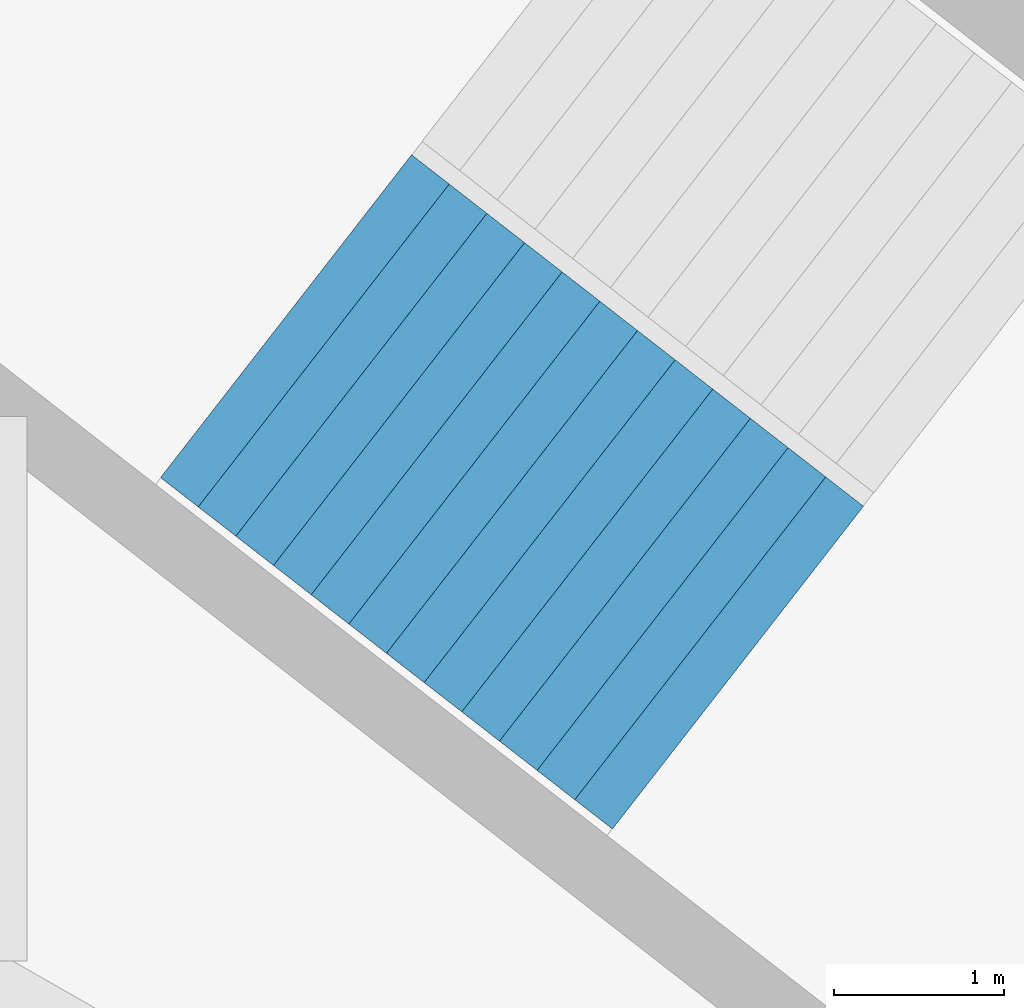
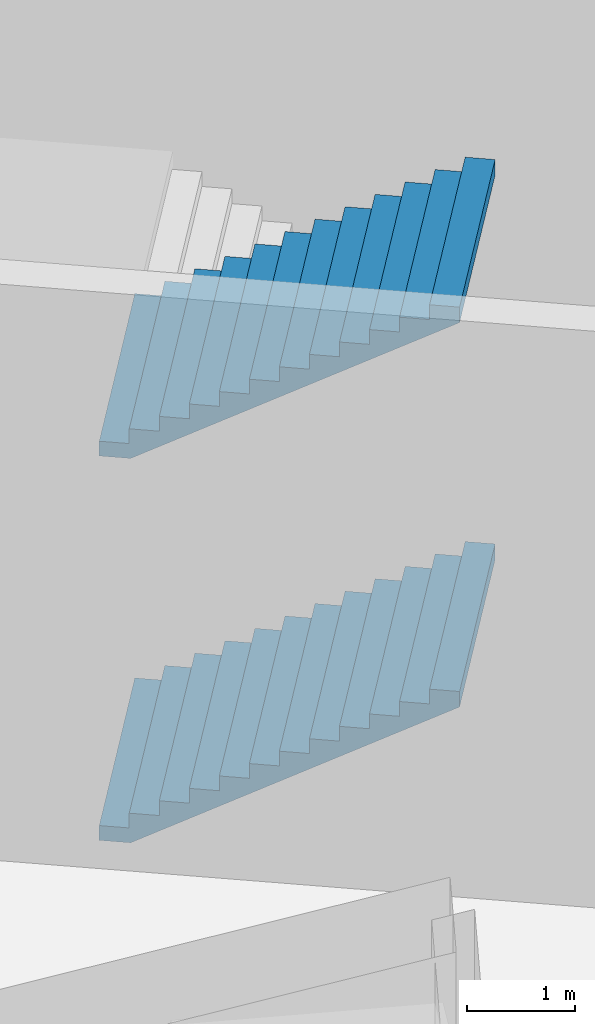
# One storey, part 32 of 47: 2 stair flights, 1 element without a shape of its own.
"""IFC4 building model written with IfcOpenShell, lengths in metres."""

from ifc_helpers import new_model, si_unit, direction, frame, origin, place, context, subcontext, project, spatial, triangles, material, type_object, element, aggregate, save


model = new_model("IFC4")

# Units and contexts
model_context = context("Model", 3, precision=1e-05, world=origin(), true_north=direction((0.0, 1.0)))
body_context = subcontext(model_context, "Body", "Model", "MODEL_VIEW")
ifc_project = project(units=[si_unit("LENGTHUNIT", "METRE"), si_unit("AREAUNIT", "SQUARE_METRE"), si_unit("VOLUMEUNIT", "CUBIC_METRE"), si_unit("PLANEANGLEUNIT", "RADIAN"), si_unit("MASSUNIT", "GRAM", prefix="KILO")], contexts=[model_context])

# Site, building, storey
site_placement = place(None, origin())
site = spatial("IfcSite", under=ifc_project, at=site_placement, CompositionType="ELEMENT")
building_placement = place(site_placement, origin())
building = spatial("IfcBuilding", under=site, at=building_placement, Name="Lantaw Convention Tower", CompositionType="ELEMENT")
storey_placement = place(building_placement, origin())
storey = spatial("IfcBuildingStorey", under=building, at=storey_placement, Name="L00", CompositionType="ELEMENT", Elevation=0.0)

# Stair, stair flights
ifc_material = material(Name="Concrete C35/45", Category="concrete")
stair_type = type_object("IfcStairType", Name="Exit stair 2400 riser 166.67 in 3 flights", PredefinedType="HALF_TURN_STAIR", material=ifc_material)
stair_placement = place(storey_placement, origin())
stair = element("IfcStair", 1, at=stair_placement, inside=storey, type_object=stair_type, Name="Podium exit stair P7 L00", PredefinedType="HALF_TURN_STAIR")
stair_flight_type = type_object("IfcStairFlightType", Name="Stair flight 2400 riser 166.67", PredefinedType="STRAIGHT", material=ifc_material)
stair_flight_1_placement = place(storey_placement, frame((-32.146728515625, 23.417236328125, 0.0), z_axis=(0.0, 0.0, 1.0), x_axis=(0.789378829664, -0.613906396186, 0.0)))
stair_flight_1 = element("IfcStairFlight", 2, at=stair_flight_1_placement, type_object=stair_flight_type, Name="P7 flight 1", NumberOfRisers=13, NumberOfTreads=12, PredefinedType="STRAIGHT", RiserHeight=0.166666667, TreadLength=0.28, context=body_context, shape_type="Tessellation", body=[
    triangles([(0.0, 1.199951171875, 0.0), (0.0, 1.199951171875, 0.166666667), (0.28, 1.199951171875, 0.0), (0.28, 1.199951171875, 0.166666667), (0.28, 1.199951171875, 0.333333334), (0.29307345806906815, 1.199951171875, 0.0), (0.29307345806906815, 1.199951171875, 0.333333334), (0.56, 1.199951171875, 0.15888484670522912), (0.56, 1.199951171875, 0.333333334), (0.56, 1.199951171875, 0.500000001), (0.8400000000000001, 1.199951171875, 0.3255515137052291), (0.8400000000000001, 1.199951171875, 0.500000001), (0.8400000000000001, 1.199951171875, 0.666666668), (1.12, 1.199951171875, 0.49221818070522905), (1.12, 1.199951171875, 0.666666668), (1.12, 1.199951171875, 0.833333335), (1.4000000000000001, 1.199951171875, 0.658884847705229), (1.4000000000000001, 1.199951171875, 0.833333335), (1.4000000000000001, 1.199951171875, 1.000000002), (1.6800000000000002, 1.199951171875, 0.825551514705229), (1.6800000000000002, 1.199951171875, 1.000000002), (1.6800000000000002, 1.199951171875, 1.166666669), (1.9600000000000002, 1.199951171875, 0.992218181705229), (1.9600000000000002, 1.199951171875, 1.166666669), (1.9600000000000002, 1.199951171875, 1.333333336), (2.24, 1.199951171875, 1.158884848705229), (2.24, 1.199951171875, 1.333333336), (2.24, 1.199951171875, 1.5000000029999998), (2.5200000000000005, 1.199951171875, 1.325551515705229), (2.5200000000000005, 1.199951171875, 1.5000000029999998), (2.5200000000000005, 1.199951171875, 1.66666667), (2.8000000000000003, 1.199951171875, 1.492218182705229), (2.8000000000000003, 1.199951171875, 1.66666667), (2.8000000000000003, 1.199951171875, 1.833333337), (3.08, 1.199951171875, 1.6588848497052289), (3.08, 1.199951171875, 1.833333337), (3.08, 1.199951171875, 2.000000004), (3.3600000000000003, 1.199951171875, 1.825551516705229), (3.3600000000000003, 1.199951171875, 2.000000004), (0.0, -1.199951171875, 0.0), (0.0, -1.199951171875, 0.166666667), (0.28, -1.199951171875, 0.0), (0.28, -1.199951171875, 0.166666667), (0.28, -1.199951171875, 0.333333334), (0.29307345806906815, -1.199951171875, 0.0), (0.29307345806906815, -1.199951171875, 0.333333334), (0.56, -1.199951171875, 0.15888484670522912), (0.56, -1.199951171875, 0.333333334), (0.56, -1.199951171875, 0.500000001), (0.8400000000000001, -1.199951171875, 0.3255515137052291), (0.8400000000000001, -1.199951171875, 0.500000001), (0.8400000000000001, -1.199951171875, 0.666666668), (1.12, -1.199951171875, 0.49221818070522905), (1.12, -1.199951171875, 0.666666668), (1.12, -1.199951171875, 0.833333335), (1.4000000000000001, -1.199951171875, 0.658884847705229), (1.4000000000000001, -1.199951171875, 0.833333335), (1.4000000000000001, -1.199951171875, 1.000000002), (1.6800000000000002, -1.199951171875, 0.825551514705229), (1.6800000000000002, -1.199951171875, 1.000000002), (1.6800000000000002, -1.199951171875, 1.166666669), (1.9600000000000002, -1.199951171875, 0.992218181705229), (1.9600000000000002, -1.199951171875, 1.166666669), (1.9600000000000002, -1.199951171875, 1.333333336), (2.24, -1.199951171875, 1.158884848705229), (2.24, -1.199951171875, 1.333333336), (2.24, -1.199951171875, 1.5000000029999998), (2.5200000000000005, -1.199951171875, 1.325551515705229), (2.5200000000000005, -1.199951171875, 1.5000000029999998), (2.5200000000000005, -1.199951171875, 1.66666667), (2.8000000000000003, -1.199951171875, 1.492218182705229), (2.8000000000000003, -1.199951171875, 1.66666667), (2.8000000000000003, -1.199951171875, 1.833333337), (3.08, -1.199951171875, 1.6588848497052289), (3.08, -1.199951171875, 1.833333337), (3.08, -1.199951171875, 2.000000004), (3.3600000000000003, -1.199951171875, 1.825551516705229), (3.3600000000000003, -1.199951171875, 2.000000004), (0.0, 0.239990234375, 0.166666667), (0.0, 0.239990234375, 0.0), (0.0, 0.0, 0.166666667), (0.0, 0.0, 0.0), (0.0, -0.239990234375, 0.166666667), (0.0, -0.239990234375, 0.0), (0.28, 0.239990234375, 0.333333334), (0.28, 0.239990234375, 0.166666667), (0.28, 0.0, 0.333333334), (0.28, 0.0, 0.166666667), (0.28, -0.239990234375, 0.333333334), (0.28, -0.239990234375, 0.166666667), (0.56, 0.239990234375, 0.500000001), (0.56, 0.239990234375, 0.333333334), (0.56, 0.0, 0.500000001), (0.56, 0.0, 0.333333334), (0.56, -0.239990234375, 0.500000001), (0.56, -0.239990234375, 0.333333334), (0.8400000000000001, 0.239990234375, 0.666666668), (0.8400000000000001, 0.239990234375, 0.500000001), (0.8400000000000001, 0.0, 0.666666668), (0.8400000000000001, 0.0, 0.500000001), (0.8400000000000001, -0.239990234375, 0.666666668), (0.8400000000000001, -0.239990234375, 0.500000001), (1.12, 0.239990234375, 0.833333335), (1.12, 0.239990234375, 0.666666668), (1.12, 0.0, 0.833333335), (1.12, 0.0, 0.666666668), (1.12, -0.239990234375, 0.833333335), (1.12, -0.239990234375, 0.666666668), (1.4000000000000001, 0.239990234375, 1.000000002), (1.4000000000000001, 0.239990234375, 0.833333335), (1.4000000000000001, 0.0, 1.000000002), (1.4000000000000001, 0.0, 0.833333335), (1.4000000000000001, -0.239990234375, 1.000000002), (1.4000000000000001, -0.239990234375, 0.833333335), (1.6800000000000002, 0.239990234375, 1.166666669), (1.6800000000000002, 0.239990234375, 1.000000002), (1.6800000000000002, 0.0, 1.166666669), (1.6800000000000002, 0.0, 1.000000002), (1.6800000000000002, -0.239990234375, 1.166666669), (1.6800000000000002, -0.239990234375, 1.000000002), (1.9600000000000002, 0.239990234375, 1.333333336), (1.9600000000000002, 0.239990234375, 1.166666669), (1.9600000000000002, 0.0, 1.333333336), (1.9600000000000002, 0.0, 1.166666669), (1.9600000000000002, -0.239990234375, 1.333333336), (1.9600000000000002, -0.239990234375, 1.166666669), (2.24, 0.239990234375, 1.5000000029999998), (2.24, 0.239990234375, 1.333333336), (2.24, 0.0, 1.5000000029999998), (2.24, 0.0, 1.333333336), (2.24, -0.239990234375, 1.5000000029999998), (2.24, -0.239990234375, 1.333333336), (2.5200000000000005, 0.239990234375, 1.66666667), (2.5200000000000005, 0.239990234375, 1.5000000029999998), (2.5200000000000005, 0.0, 1.66666667), (2.5200000000000005, 0.0, 1.5000000029999998), (2.5200000000000005, -0.239990234375, 1.66666667), (2.5200000000000005, -0.239990234375, 1.5000000029999998), (2.8000000000000003, 0.239990234375, 1.833333337), (2.8000000000000003, 0.239990234375, 1.66666667), (2.8000000000000003, 0.0, 1.833333337), (2.8000000000000003, 0.0, 1.66666667), (2.8000000000000003, -0.239990234375, 1.833333337), (2.8000000000000003, -0.239990234375, 1.66666667), (3.08, 0.239990234375, 2.000000004), (3.08, 0.239990234375, 1.833333337), (3.08, 0.0, 2.000000004), (3.08, 0.0, 1.833333337), (3.08, -0.239990234375, 2.000000004), (3.08, -0.239990234375, 1.833333337), (0.29307345806906815, 0.239990234375, 0.333333334), (0.29307345806906815, 0.0, 0.333333334), (0.29307345806906815, -0.239990234375, 0.333333334), (3.3600000000000003, 0.239990234375, 2.000000004), (3.3600000000000003, 0.0, 2.000000004), (3.3600000000000003, -0.239990234375, 2.000000004), (3.3600000000000003, 0.239990234375, 1.8255515167052292), (3.3600000000000003, 0.0, 1.8255515167052292), (3.3600000000000003, -0.239990234375, 1.8255515167052292), (3.08, 0.239990234375, 1.6588848497052289), (3.08, 0.0, 1.6588848497052289), (3.08, -0.239990234375, 1.6588848497052289), (2.8000000000000003, 0.239990234375, 1.492218182705229), (2.8000000000000003, 0.0, 1.492218182705229), (2.8000000000000003, -0.239990234375, 1.492218182705229), (2.5200000000000005, 0.239990234375, 1.325551515705229), (2.5200000000000005, 0.0, 1.325551515705229), (2.5200000000000005, -0.239990234375, 1.325551515705229), (2.24, 0.239990234375, 1.158884848705229), (2.24, 0.0, 1.158884848705229), (2.24, -0.239990234375, 1.158884848705229), (1.9600000000000002, 0.239990234375, 0.992218181705229), (1.9600000000000002, 0.0, 0.992218181705229), (1.9600000000000002, -0.239990234375, 0.992218181705229), (1.6800000000000002, 0.239990234375, 0.825551514705229), (1.6800000000000002, 0.0, 0.825551514705229), (1.6800000000000002, -0.239990234375, 0.825551514705229), (1.4000000000000001, 0.239990234375, 0.658884847705229), (1.4000000000000001, 0.0, 0.658884847705229), (1.4000000000000001, -0.239990234375, 0.658884847705229), (1.12, 0.239990234375, 0.49221818070522905), (1.12, 0.0, 0.49221818070522905), (1.12, -0.239990234375, 0.49221818070522905), (0.8400000000000001, 0.239990234375, 0.3255515137052291), (0.8400000000000001, 0.0, 0.3255515137052291), (0.8400000000000001, -0.239990234375, 0.3255515137052291), (0.56, 0.239990234375, 0.15888484670522912), (0.56, 0.0, 0.15888484670522912), (0.56, -0.239990234375, 0.15888484670522912), (0.29307345806906815, 0.239990234375, 0.0), (0.29307345806906815, 0.0, 0.0), (0.29307345806906815, -0.239990234375, 0.0), (0.28, 0.239990234375, 0.0), (0.28, 0.0, 0.0), (0.28, -0.239990234375, 0.0)], [[1, 4, 3], [1, 2, 4], [3, 4, 6], [4, 7, 6], [4, 5, 7], [6, 9, 8], [6, 7, 9], [8, 9, 11], [9, 12, 11], [9, 10, 12], [11, 12, 14], [12, 15, 14], [12, 13, 15], [14, 15, 17], [15, 18, 17], [15, 16, 18], [17, 18, 20], [18, 21, 20], [18, 19, 21], [20, 21, 23], [21, 24, 23], [21, 22, 24], [23, 24, 26], [24, 27, 26], [24, 25, 27], [26, 27, 29], [27, 30, 29], [27, 28, 30], [29, 30, 32], [30, 33, 32], [30, 31, 33], [32, 33, 35], [33, 36, 35], [33, 34, 36], [35, 36, 38], [36, 39, 38], [36, 37, 39], [40, 42, 43], [40, 43, 41], [42, 45, 43], [43, 45, 46], [43, 46, 44], [45, 47, 48], [45, 48, 46], [47, 50, 48], [48, 50, 51], [48, 51, 49], [50, 53, 51], [51, 53, 54], [51, 54, 52], [53, 56, 54], [54, 56, 57], [54, 57, 55], [56, 59, 57], [57, 59, 60], [57, 60, 58], [59, 62, 60], [60, 62, 63], [60, 63, 61], [62, 65, 63], [63, 65, 66], [63, 66, 64], [65, 68, 66], [66, 68, 69], [66, 69, 67], [68, 71, 69], [69, 71, 72], [69, 72, 70], [71, 74, 72], [72, 74, 75], [72, 75, 73], [74, 77, 75], [75, 77, 78], [75, 78, 76], [1, 79, 2], [1, 80, 79], [80, 81, 79], [80, 82, 81], [82, 83, 81], [82, 84, 83], [84, 41, 83], [84, 40, 41], [4, 85, 5], [4, 86, 85], [86, 87, 85], [86, 88, 87], [88, 89, 87], [88, 90, 89], [90, 44, 89], [90, 43, 44], [9, 91, 10], [9, 92, 91], [92, 93, 91], [92, 94, 93], [94, 95, 93], [94, 96, 95], [96, 49, 95], [96, 48, 49], [12, 97, 13], [12, 98, 97], [98, 99, 97], [98, 100, 99], [100, 101, 99], [100, 102, 101], [102, 52, 101], [102, 51, 52], [15, 103, 16], [15, 104, 103], [104, 105, 103], [104, 106, 105], [106, 107, 105], [106, 108, 107], [108, 55, 107], [108, 54, 55], [18, 109, 19], [18, 110, 109], [110, 111, 109], [110, 112, 111], [112, 113, 111], [112, 114, 113], [114, 58, 113], [114, 57, 58], [21, 115, 22], [21, 116, 115], [116, 117, 115], [116, 118, 117], [118, 119, 117], [118, 120, 119], [120, 61, 119], [120, 60, 61], [24, 121, 25], [24, 122, 121], [122, 123, 121], [122, 124, 123], [124, 125, 123], [124, 126, 125], [126, 64, 125], [126, 63, 64], [27, 127, 28], [27, 128, 127], [128, 129, 127], [128, 130, 129], [130, 131, 129], [130, 132, 131], [132, 67, 131], [132, 66, 67], [30, 133, 31], [30, 134, 133], [134, 135, 133], [134, 136, 135], [136, 137, 135], [136, 138, 137], [138, 70, 137], [138, 69, 70], [33, 139, 34], [33, 140, 139], [140, 141, 139], [140, 142, 141], [142, 143, 141], [142, 144, 143], [144, 73, 143], [144, 72, 73], [36, 145, 37], [36, 146, 145], [146, 147, 145], [146, 148, 147], [148, 149, 147], [148, 150, 149], [150, 76, 149], [150, 75, 76], [2, 86, 4], [2, 79, 86], [79, 88, 86], [79, 81, 88], [81, 90, 88], [81, 83, 90], [83, 43, 90], [83, 41, 43], [5, 151, 7], [5, 85, 151], [85, 152, 151], [85, 87, 152], [87, 153, 152], [87, 89, 153], [89, 46, 153], [89, 44, 46], [7, 92, 9], [7, 151, 92], [151, 94, 92], [151, 152, 94], [152, 96, 94], [152, 153, 96], [153, 48, 96], [153, 46, 48], [10, 98, 12], [10, 91, 98], [91, 100, 98], [91, 93, 100], [93, 102, 100], [93, 95, 102], [95, 51, 102], [95, 49, 51], [13, 104, 15], [13, 97, 104], [97, 106, 104], [97, 99, 106], [99, 108, 106], [99, 101, 108], [101, 54, 108], [101, 52, 54], [16, 110, 18], [16, 103, 110], [103, 112, 110], [103, 105, 112], [105, 114, 112], [105, 107, 114], [107, 57, 114], [107, 55, 57], [19, 116, 21], [19, 109, 116], [109, 118, 116], [109, 111, 118], [111, 120, 118], [111, 113, 120], [113, 60, 120], [113, 58, 60], [22, 122, 24], [22, 115, 122], [115, 124, 122], [115, 117, 124], [117, 126, 124], [117, 119, 126], [119, 63, 126], [119, 61, 63], [25, 128, 27], [25, 121, 128], [121, 130, 128], [121, 123, 130], [123, 132, 130], [123, 125, 132], [125, 66, 132], [125, 64, 66], [28, 134, 30], [28, 127, 134], [127, 136, 134], [127, 129, 136], [129, 138, 136], [129, 131, 138], [131, 69, 138], [131, 67, 69], [31, 140, 33], [31, 133, 140], [133, 142, 140], [133, 135, 142], [135, 144, 142], [135, 137, 144], [137, 72, 144], [137, 70, 72], [34, 146, 36], [34, 139, 146], [139, 148, 146], [139, 141, 148], [141, 150, 148], [141, 143, 150], [143, 75, 150], [143, 73, 75], [37, 154, 39], [37, 145, 154], [145, 155, 154], [145, 147, 155], [147, 156, 155], [147, 149, 156], [149, 78, 156], [149, 76, 78], [39, 157, 38], [39, 154, 157], [154, 158, 157], [154, 155, 158], [155, 159, 158], [155, 156, 159], [156, 77, 159], [156, 78, 77], [38, 160, 35], [38, 157, 160], [157, 161, 160], [157, 158, 161], [158, 162, 161], [158, 159, 162], [159, 74, 162], [159, 77, 74], [35, 163, 32], [35, 160, 163], [160, 164, 163], [160, 161, 164], [161, 165, 164], [161, 162, 165], [162, 71, 165], [162, 74, 71], [32, 166, 29], [32, 163, 166], [163, 167, 166], [163, 164, 167], [164, 168, 167], [164, 165, 168], [165, 68, 168], [165, 71, 68], [29, 169, 26], [29, 166, 169], [166, 170, 169], [166, 167, 170], [167, 171, 170], [167, 168, 171], [168, 65, 171], [168, 68, 65], [26, 172, 23], [26, 169, 172], [169, 173, 172], [169, 170, 173], [170, 174, 173], [170, 171, 174], [171, 62, 174], [171, 65, 62], [23, 175, 20], [23, 172, 175], [172, 176, 175], [172, 173, 176], [173, 177, 176], [173, 174, 177], [174, 59, 177], [174, 62, 59], [20, 178, 17], [20, 175, 178], [175, 179, 178], [175, 176, 179], [176, 180, 179], [176, 177, 180], [177, 56, 180], [177, 59, 56], [17, 181, 14], [17, 178, 181], [178, 182, 181], [178, 179, 182], [179, 183, 182], [179, 180, 183], [180, 53, 183], [180, 56, 53], [14, 184, 11], [14, 181, 184], [181, 185, 184], [181, 182, 185], [182, 186, 185], [182, 183, 186], [183, 50, 186], [183, 53, 50], [11, 187, 8], [11, 184, 187], [184, 188, 187], [184, 185, 188], [185, 189, 188], [185, 186, 189], [186, 47, 189], [186, 50, 47], [8, 190, 6], [8, 187, 190], [187, 191, 190], [187, 188, 191], [188, 192, 191], [188, 189, 192], [189, 45, 192], [189, 47, 45], [6, 193, 3], [6, 190, 193], [190, 194, 193], [190, 191, 194], [191, 195, 194], [191, 192, 195], [192, 42, 195], [192, 45, 42], [3, 80, 1], [3, 193, 80], [193, 82, 80], [193, 194, 82], [194, 84, 82], [194, 195, 84], [195, 40, 84], [195, 42, 40]], closed=True),
])
stair_flight_2_placement = place(storey_placement, frame((-32.146728515625, 23.417236328125, 4.333251953125), z_axis=(0.0, 0.0, 1.0), x_axis=(0.789378829664, -0.613906396186, 0.0)))
stair_flight_2 = element("IfcStairFlight", 3, at=stair_flight_2_placement, type_object=stair_flight_type, Name="P7 flight 3", NumberOfRisers=13, NumberOfTreads=12, PredefinedType="STRAIGHT", RiserHeight=0.166666667, TreadLength=0.28, context=body_context, shape_type="Tessellation", body=[
    triangles([(0.0, 1.199951171875, 0.0), (0.0, 1.199951171875, 0.166666667), (0.28, 1.199951171875, 0.0), (0.28, 1.199951171875, 0.166666667), (0.28, 1.199951171875, 0.333333334), (0.29307345806906815, 1.199951171875, 0.0), (0.29307345806906815, 1.199951171875, 0.333333334), (0.56, 1.199951171875, 0.15888484670522912), (0.56, 1.199951171875, 0.333333334), (0.56, 1.199951171875, 0.500000001), (0.8400000000000001, 1.199951171875, 0.3255515137052291), (0.8400000000000001, 1.199951171875, 0.500000001), (0.8400000000000001, 1.199951171875, 0.666666668), (1.12, 1.199951171875, 0.49221818070522905), (1.12, 1.199951171875, 0.666666668), (1.12, 1.199951171875, 0.833333335), (1.4000000000000001, 1.199951171875, 0.658884847705229), (1.4000000000000001, 1.199951171875, 0.833333335), (1.4000000000000001, 1.199951171875, 1.000000002), (1.6800000000000002, 1.199951171875, 0.825551514705229), (1.6800000000000002, 1.199951171875, 1.000000002), (1.6800000000000002, 1.199951171875, 1.166666669), (1.9600000000000002, 1.199951171875, 0.992218181705229), (1.9600000000000002, 1.199951171875, 1.166666669), (1.9600000000000002, 1.199951171875, 1.333333336), (2.24, 1.199951171875, 1.158884848705229), (2.24, 1.199951171875, 1.333333336), (2.24, 1.199951171875, 1.5000000029999998), (2.5200000000000005, 1.199951171875, 1.325551515705229), (2.5200000000000005, 1.199951171875, 1.5000000029999998), (2.5200000000000005, 1.199951171875, 1.66666667), (2.8000000000000003, 1.199951171875, 1.492218182705229), (2.8000000000000003, 1.199951171875, 1.66666667), (2.8000000000000003, 1.199951171875, 1.833333337), (3.08, 1.199951171875, 1.6588848497052289), (3.08, 1.199951171875, 1.833333337), (3.08, 1.199951171875, 2.000000004), (3.3600000000000003, 1.199951171875, 1.825551516705229), (3.3600000000000003, 1.199951171875, 2.000000004), (0.0, -1.199951171875, 0.0), (0.0, -1.199951171875, 0.166666667), (0.28, -1.199951171875, 0.0), (0.28, -1.199951171875, 0.166666667), (0.28, -1.199951171875, 0.333333334), (0.29307345806906815, -1.199951171875, 0.0), (0.29307345806906815, -1.199951171875, 0.333333334), (0.56, -1.199951171875, 0.15888484670522912), (0.56, -1.199951171875, 0.333333334), (0.56, -1.199951171875, 0.500000001), (0.8400000000000001, -1.199951171875, 0.3255515137052291), (0.8400000000000001, -1.199951171875, 0.500000001), (0.8400000000000001, -1.199951171875, 0.666666668), (1.12, -1.199951171875, 0.49221818070522905), (1.12, -1.199951171875, 0.666666668), (1.12, -1.199951171875, 0.833333335), (1.4000000000000001, -1.199951171875, 0.658884847705229), (1.4000000000000001, -1.199951171875, 0.833333335), (1.4000000000000001, -1.199951171875, 1.000000002), (1.6800000000000002, -1.199951171875, 0.825551514705229), (1.6800000000000002, -1.199951171875, 1.000000002), (1.6800000000000002, -1.199951171875, 1.166666669), (1.9600000000000002, -1.199951171875, 0.992218181705229), (1.9600000000000002, -1.199951171875, 1.166666669), (1.9600000000000002, -1.199951171875, 1.333333336), (2.24, -1.199951171875, 1.158884848705229), (2.24, -1.199951171875, 1.333333336), (2.24, -1.199951171875, 1.5000000029999998), (2.5200000000000005, -1.199951171875, 1.325551515705229), (2.5200000000000005, -1.199951171875, 1.5000000029999998), (2.5200000000000005, -1.199951171875, 1.66666667), (2.8000000000000003, -1.199951171875, 1.492218182705229), (2.8000000000000003, -1.199951171875, 1.66666667), (2.8000000000000003, -1.199951171875, 1.833333337), (3.08, -1.199951171875, 1.6588848497052289), (3.08, -1.199951171875, 1.833333337), (3.08, -1.199951171875, 2.000000004), (3.3600000000000003, -1.199951171875, 1.825551516705229), (3.3600000000000003, -1.199951171875, 2.000000004), (0.0, 0.239990234375, 0.166666667), (0.0, 0.239990234375, 0.0), (0.0, 0.0, 0.166666667), (0.0, 0.0, 0.0), (0.0, -0.239990234375, 0.166666667), (0.0, -0.239990234375, 0.0), (0.28, 0.239990234375, 0.333333334), (0.28, 0.239990234375, 0.166666667), (0.28, 0.0, 0.333333334), (0.28, 0.0, 0.166666667), (0.28, -0.239990234375, 0.333333334), (0.28, -0.239990234375, 0.166666667), (0.56, 0.239990234375, 0.500000001), (0.56, 0.239990234375, 0.333333334), (0.56, 0.0, 0.500000001), (0.56, 0.0, 0.333333334), (0.56, -0.239990234375, 0.500000001), (0.56, -0.239990234375, 0.333333334), (0.8400000000000001, 0.239990234375, 0.666666668), (0.8400000000000001, 0.239990234375, 0.500000001), (0.8400000000000001, 0.0, 0.666666668), (0.8400000000000001, 0.0, 0.500000001), (0.8400000000000001, -0.239990234375, 0.666666668), (0.8400000000000001, -0.239990234375, 0.500000001), (1.12, 0.239990234375, 0.833333335), (1.12, 0.239990234375, 0.666666668), (1.12, 0.0, 0.833333335), (1.12, 0.0, 0.666666668), (1.12, -0.239990234375, 0.833333335), (1.12, -0.239990234375, 0.666666668), (1.4000000000000001, 0.239990234375, 1.000000002), (1.4000000000000001, 0.239990234375, 0.833333335), (1.4000000000000001, 0.0, 1.000000002), (1.4000000000000001, 0.0, 0.833333335), (1.4000000000000001, -0.239990234375, 1.000000002), (1.4000000000000001, -0.239990234375, 0.833333335), (1.6800000000000002, 0.239990234375, 1.166666669), (1.6800000000000002, 0.239990234375, 1.000000002), (1.6800000000000002, 0.0, 1.166666669), (1.6800000000000002, 0.0, 1.000000002), (1.6800000000000002, -0.239990234375, 1.166666669), (1.6800000000000002, -0.239990234375, 1.000000002), (1.9600000000000002, 0.239990234375, 1.333333336), (1.9600000000000002, 0.239990234375, 1.166666669), (1.9600000000000002, 0.0, 1.333333336), (1.9600000000000002, 0.0, 1.166666669), (1.9600000000000002, -0.239990234375, 1.333333336), (1.9600000000000002, -0.239990234375, 1.166666669), (2.24, 0.239990234375, 1.5000000029999998), (2.24, 0.239990234375, 1.333333336), (2.24, 0.0, 1.5000000029999998), (2.24, 0.0, 1.333333336), (2.24, -0.239990234375, 1.5000000029999998), (2.24, -0.239990234375, 1.333333336), (2.5200000000000005, 0.239990234375, 1.66666667), (2.5200000000000005, 0.239990234375, 1.5000000029999998), (2.5200000000000005, 0.0, 1.66666667), (2.5200000000000005, 0.0, 1.5000000029999998), (2.5200000000000005, -0.239990234375, 1.66666667), (2.5200000000000005, -0.239990234375, 1.5000000029999998), (2.8000000000000003, 0.239990234375, 1.833333337), (2.8000000000000003, 0.239990234375, 1.66666667), (2.8000000000000003, 0.0, 1.833333337), (2.8000000000000003, 0.0, 1.66666667), (2.8000000000000003, -0.239990234375, 1.833333337), (2.8000000000000003, -0.239990234375, 1.66666667), (3.08, 0.239990234375, 2.000000004), (3.08, 0.239990234375, 1.833333337), (3.08, 0.0, 2.000000004), (3.08, 0.0, 1.833333337), (3.08, -0.239990234375, 2.000000004), (3.08, -0.239990234375, 1.833333337), (0.29307345806906815, 0.239990234375, 0.333333334), (0.29307345806906815, 0.0, 0.333333334), (0.29307345806906815, -0.239990234375, 0.333333334), (3.3600000000000003, 0.239990234375, 2.000000004), (3.3600000000000003, 0.0, 2.000000004), (3.3600000000000003, -0.239990234375, 2.000000004), (3.3600000000000003, 0.239990234375, 1.8255515167052292), (3.3600000000000003, 0.0, 1.8255515167052292), (3.3600000000000003, -0.239990234375, 1.8255515167052292), (3.08, 0.239990234375, 1.6588848497052289), (3.08, 0.0, 1.6588848497052289), (3.08, -0.239990234375, 1.6588848497052289), (2.8000000000000003, 0.239990234375, 1.492218182705229), (2.8000000000000003, 0.0, 1.492218182705229), (2.8000000000000003, -0.239990234375, 1.492218182705229), (2.5200000000000005, 0.239990234375, 1.325551515705229), (2.5200000000000005, 0.0, 1.325551515705229), (2.5200000000000005, -0.239990234375, 1.325551515705229), (2.24, 0.239990234375, 1.158884848705229), (2.24, 0.0, 1.158884848705229), (2.24, -0.239990234375, 1.158884848705229), (1.9600000000000002, 0.239990234375, 0.992218181705229), (1.9600000000000002, 0.0, 0.992218181705229), (1.9600000000000002, -0.239990234375, 0.992218181705229), (1.6800000000000002, 0.239990234375, 0.825551514705229), (1.6800000000000002, 0.0, 0.825551514705229), (1.6800000000000002, -0.239990234375, 0.825551514705229), (1.4000000000000001, 0.239990234375, 0.658884847705229), (1.4000000000000001, 0.0, 0.658884847705229), (1.4000000000000001, -0.239990234375, 0.658884847705229), (1.12, 0.239990234375, 0.49221818070522905), (1.12, 0.0, 0.49221818070522905), (1.12, -0.239990234375, 0.49221818070522905), (0.8400000000000001, 0.239990234375, 0.3255515137052291), (0.8400000000000001, 0.0, 0.3255515137052291), (0.8400000000000001, -0.239990234375, 0.3255515137052291), (0.56, 0.239990234375, 0.15888484670522912), (0.56, 0.0, 0.15888484670522912), (0.56, -0.239990234375, 0.15888484670522912), (0.29307345806906815, 0.239990234375, 0.0), (0.29307345806906815, 0.0, 0.0), (0.29307345806906815, -0.239990234375, 0.0), (0.28, 0.239990234375, 0.0), (0.28, 0.0, 0.0), (0.28, -0.239990234375, 0.0)], [[1, 4, 3], [1, 2, 4], [3, 4, 6], [4, 7, 6], [4, 5, 7], [6, 9, 8], [6, 7, 9], [8, 9, 11], [9, 12, 11], [9, 10, 12], [11, 12, 14], [12, 15, 14], [12, 13, 15], [14, 15, 17], [15, 18, 17], [15, 16, 18], [17, 18, 20], [18, 21, 20], [18, 19, 21], [20, 21, 23], [21, 24, 23], [21, 22, 24], [23, 24, 26], [24, 27, 26], [24, 25, 27], [26, 27, 29], [27, 30, 29], [27, 28, 30], [29, 30, 32], [30, 33, 32], [30, 31, 33], [32, 33, 35], [33, 36, 35], [33, 34, 36], [35, 36, 38], [36, 39, 38], [36, 37, 39], [40, 42, 43], [40, 43, 41], [42, 45, 43], [43, 45, 46], [43, 46, 44], [45, 47, 48], [45, 48, 46], [47, 50, 48], [48, 50, 51], [48, 51, 49], [50, 53, 51], [51, 53, 54], [51, 54, 52], [53, 56, 54], [54, 56, 57], [54, 57, 55], [56, 59, 57], [57, 59, 60], [57, 60, 58], [59, 62, 60], [60, 62, 63], [60, 63, 61], [62, 65, 63], [63, 65, 66], [63, 66, 64], [65, 68, 66], [66, 68, 69], [66, 69, 67], [68, 71, 69], [69, 71, 72], [69, 72, 70], [71, 74, 72], [72, 74, 75], [72, 75, 73], [74, 77, 75], [75, 77, 78], [75, 78, 76], [1, 79, 2], [1, 80, 79], [80, 81, 79], [80, 82, 81], [82, 83, 81], [82, 84, 83], [84, 41, 83], [84, 40, 41], [4, 85, 5], [4, 86, 85], [86, 87, 85], [86, 88, 87], [88, 89, 87], [88, 90, 89], [90, 44, 89], [90, 43, 44], [9, 91, 10], [9, 92, 91], [92, 93, 91], [92, 94, 93], [94, 95, 93], [94, 96, 95], [96, 49, 95], [96, 48, 49], [12, 97, 13], [12, 98, 97], [98, 99, 97], [98, 100, 99], [100, 101, 99], [100, 102, 101], [102, 52, 101], [102, 51, 52], [15, 103, 16], [15, 104, 103], [104, 105, 103], [104, 106, 105], [106, 107, 105], [106, 108, 107], [108, 55, 107], [108, 54, 55], [18, 109, 19], [18, 110, 109], [110, 111, 109], [110, 112, 111], [112, 113, 111], [112, 114, 113], [114, 58, 113], [114, 57, 58], [21, 115, 22], [21, 116, 115], [116, 117, 115], [116, 118, 117], [118, 119, 117], [118, 120, 119], [120, 61, 119], [120, 60, 61], [24, 121, 25], [24, 122, 121], [122, 123, 121], [122, 124, 123], [124, 125, 123], [124, 126, 125], [126, 64, 125], [126, 63, 64], [27, 127, 28], [27, 128, 127], [128, 129, 127], [128, 130, 129], [130, 131, 129], [130, 132, 131], [132, 67, 131], [132, 66, 67], [30, 133, 31], [30, 134, 133], [134, 135, 133], [134, 136, 135], [136, 137, 135], [136, 138, 137], [138, 70, 137], [138, 69, 70], [33, 139, 34], [33, 140, 139], [140, 141, 139], [140, 142, 141], [142, 143, 141], [142, 144, 143], [144, 73, 143], [144, 72, 73], [36, 145, 37], [36, 146, 145], [146, 147, 145], [146, 148, 147], [148, 149, 147], [148, 150, 149], [150, 76, 149], [150, 75, 76], [2, 86, 4], [2, 79, 86], [79, 88, 86], [79, 81, 88], [81, 90, 88], [81, 83, 90], [83, 43, 90], [83, 41, 43], [5, 151, 7], [5, 85, 151], [85, 152, 151], [85, 87, 152], [87, 153, 152], [87, 89, 153], [89, 46, 153], [89, 44, 46], [7, 92, 9], [7, 151, 92], [151, 94, 92], [151, 152, 94], [152, 96, 94], [152, 153, 96], [153, 48, 96], [153, 46, 48], [10, 98, 12], [10, 91, 98], [91, 100, 98], [91, 93, 100], [93, 102, 100], [93, 95, 102], [95, 51, 102], [95, 49, 51], [13, 104, 15], [13, 97, 104], [97, 106, 104], [97, 99, 106], [99, 108, 106], [99, 101, 108], [101, 54, 108], [101, 52, 54], [16, 110, 18], [16, 103, 110], [103, 112, 110], [103, 105, 112], [105, 114, 112], [105, 107, 114], [107, 57, 114], [107, 55, 57], [19, 116, 21], [19, 109, 116], [109, 118, 116], [109, 111, 118], [111, 120, 118], [111, 113, 120], [113, 60, 120], [113, 58, 60], [22, 122, 24], [22, 115, 122], [115, 124, 122], [115, 117, 124], [117, 126, 124], [117, 119, 126], [119, 63, 126], [119, 61, 63], [25, 128, 27], [25, 121, 128], [121, 130, 128], [121, 123, 130], [123, 132, 130], [123, 125, 132], [125, 66, 132], [125, 64, 66], [28, 134, 30], [28, 127, 134], [127, 136, 134], [127, 129, 136], [129, 138, 136], [129, 131, 138], [131, 69, 138], [131, 67, 69], [31, 140, 33], [31, 133, 140], [133, 142, 140], [133, 135, 142], [135, 144, 142], [135, 137, 144], [137, 72, 144], [137, 70, 72], [34, 146, 36], [34, 139, 146], [139, 148, 146], [139, 141, 148], [141, 150, 148], [141, 143, 150], [143, 75, 150], [143, 73, 75], [37, 154, 39], [37, 145, 154], [145, 155, 154], [145, 147, 155], [147, 156, 155], [147, 149, 156], [149, 78, 156], [149, 76, 78], [39, 157, 38], [39, 154, 157], [154, 158, 157], [154, 155, 158], [155, 159, 158], [155, 156, 159], [156, 77, 159], [156, 78, 77], [38, 160, 35], [38, 157, 160], [157, 161, 160], [157, 158, 161], [158, 162, 161], [158, 159, 162], [159, 74, 162], [159, 77, 74], [35, 163, 32], [35, 160, 163], [160, 164, 163], [160, 161, 164], [161, 165, 164], [161, 162, 165], [162, 71, 165], [162, 74, 71], [32, 166, 29], [32, 163, 166], [163, 167, 166], [163, 164, 167], [164, 168, 167], [164, 165, 168], [165, 68, 168], [165, 71, 68], [29, 169, 26], [29, 166, 169], [166, 170, 169], [166, 167, 170], [167, 171, 170], [167, 168, 171], [168, 65, 171], [168, 68, 65], [26, 172, 23], [26, 169, 172], [169, 173, 172], [169, 170, 173], [170, 174, 173], [170, 171, 174], [171, 62, 174], [171, 65, 62], [23, 175, 20], [23, 172, 175], [172, 176, 175], [172, 173, 176], [173, 177, 176], [173, 174, 177], [174, 59, 177], [174, 62, 59], [20, 178, 17], [20, 175, 178], [175, 179, 178], [175, 176, 179], [176, 180, 179], [176, 177, 180], [177, 56, 180], [177, 59, 56], [17, 181, 14], [17, 178, 181], [178, 182, 181], [178, 179, 182], [179, 183, 182], [179, 180, 183], [180, 53, 183], [180, 56, 53], [14, 184, 11], [14, 181, 184], [181, 185, 184], [181, 182, 185], [182, 186, 185], [182, 183, 186], [183, 50, 186], [183, 53, 50], [11, 187, 8], [11, 184, 187], [184, 188, 187], [184, 185, 188], [185, 189, 188], [185, 186, 189], [186, 47, 189], [186, 50, 47], [8, 190, 6], [8, 187, 190], [187, 191, 190], [187, 188, 191], [188, 192, 191], [188, 189, 192], [189, 45, 192], [189, 47, 45], [6, 193, 3], [6, 190, 193], [190, 194, 193], [190, 191, 194], [191, 195, 194], [191, 192, 195], [192, 42, 195], [192, 45, 42], [3, 80, 1], [3, 193, 80], [193, 82, 80], [193, 194, 82], [194, 84, 82], [194, 195, 84], [195, 40, 84], [195, 42, 40]], closed=True),
])
aggregate(stair, [stair_flight_1, stair_flight_2])

save(model, "model.ifc")
